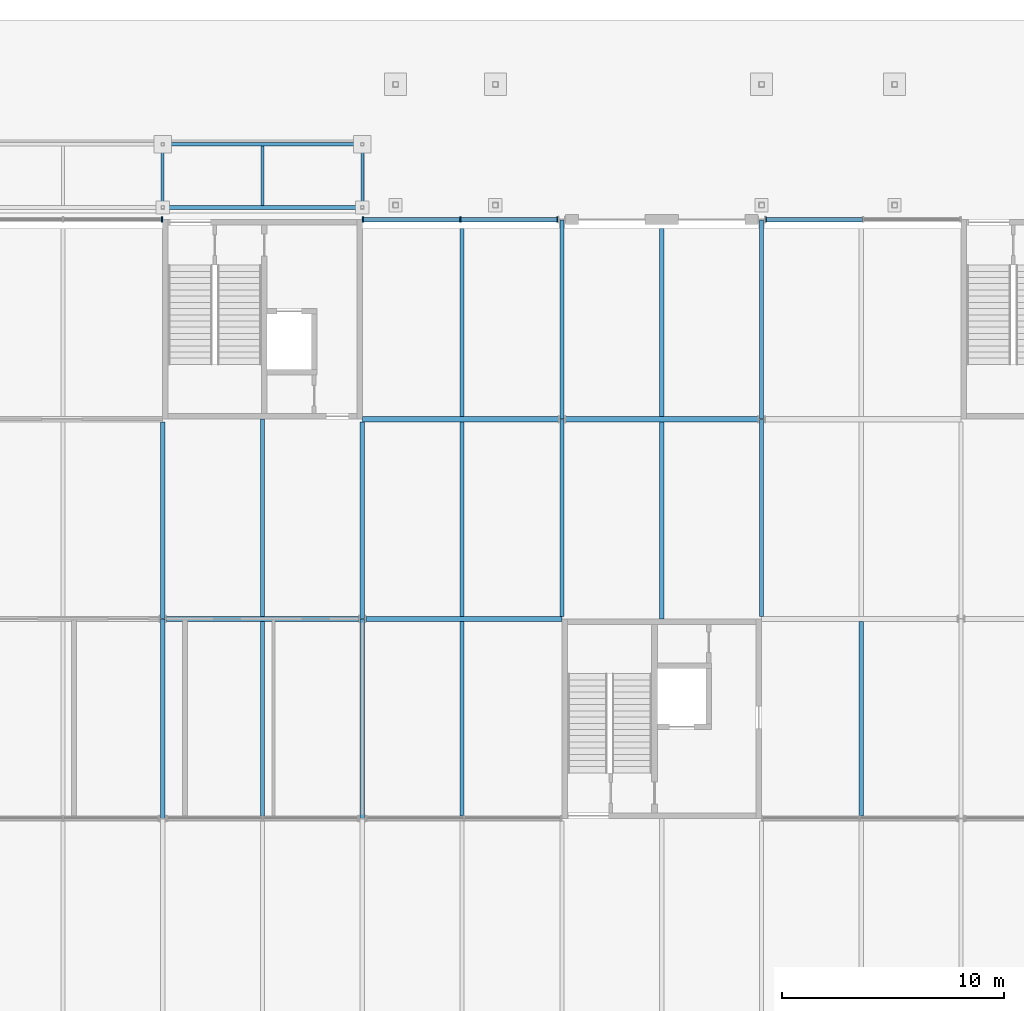
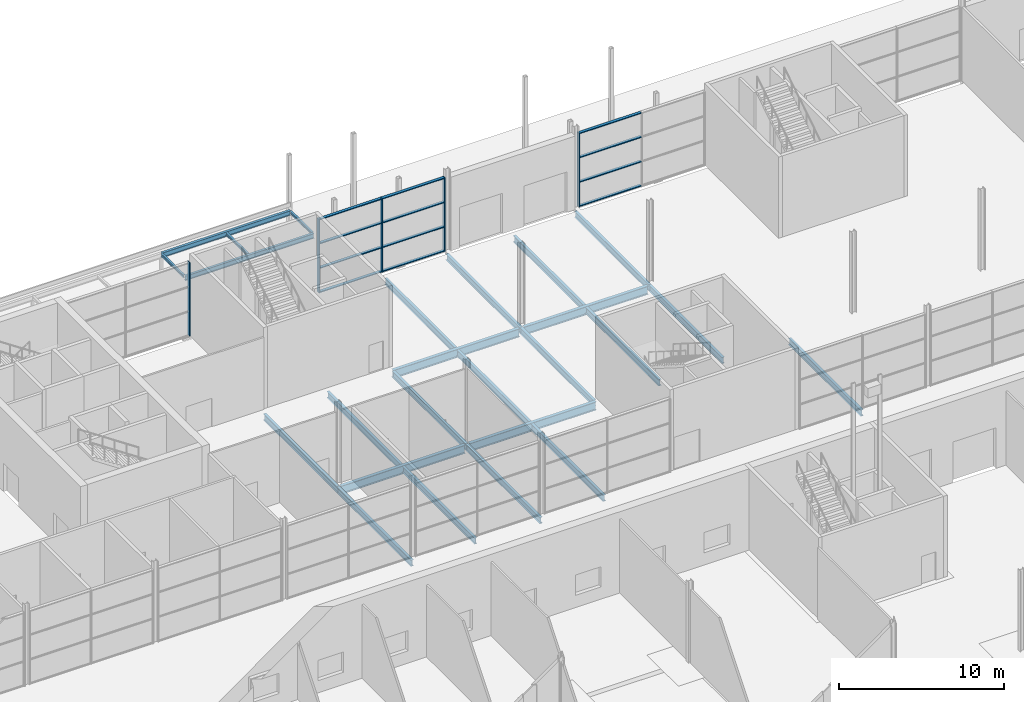
# One storey, part 46 of 97: 25 beams, 17 members, 3 elements without a shape of their own.
"""IFC4 building model written with IfcOpenShell, lengths in metres."""

from ifc_helpers import new_model, si_unit, direction, frame, origin, origin_2d, place, context, subcontext, project, spatial, rectangle, i_section, extrude, material, layer, layer_set, material_profile, profile_set, type_object, element, aggregate, save


model = new_model("IFC4")

# Units and contexts
model_context = context("Model", 3, precision=1e-05, world=origin(), true_north=direction((0.0, 1.0)))
body_context = subcontext(model_context, "Body", "Model", "MODEL_VIEW")
ifc_project = project(units=[si_unit("LENGTHUNIT", "METRE"), si_unit("AREAUNIT", "SQUARE_METRE"), si_unit("VOLUMEUNIT", "CUBIC_METRE"), si_unit("PLANEANGLEUNIT", "RADIAN"), si_unit("MASSUNIT", "GRAM", prefix="KILO")], contexts=[model_context])

# Site, building, storey
site_placement = place(None, origin())
site = spatial("IfcSite", under=ifc_project, at=site_placement, CompositionType="ELEMENT")
building_placement = place(site_placement, origin())
building = spatial("IfcBuilding", under=site, at=building_placement, Name="Corbel Yard City Hall", CompositionType="ELEMENT")
storey_placement = place(building_placement, origin())
storey = spatial("IfcBuildingStorey", under=building, at=storey_placement, Name="L00", CompositionType="ELEMENT", Elevation=0.0)

# Beams
ifc_material_1 = material(Name="Steel Grade 300 (300 MPa yield)", Category="steel")
ifc_material_profile_1 = material_profile(ifc_material_1, i_section(OverallWidth=0.133056640625, OverallDepth=0.201904296875, WebThickness=0.0048828125, FlangeThickness=0.007080078125, at=origin_2d()), Name="200UB22.3")
ifc_profile_set_1 = profile_set([ifc_material_profile_1], Name="Steel Grade 300 (300 MPa yield)")
beam_type_1 = type_object("IfcBeamType", Name="Awning Cross Beam 200UB22.3", PredefinedType="BEAM", material=ifc_profile_set_1)
for number, where, z_axis, x_axis, name in (
    (1, (63.0, 117.635498046875, 3.96484375), (0.0, 0.999922069115, -0.012484217941), (-1.0, 0.0, 0.0), "Awning Cross Beam 13"),
    (2, (67.5, 117.635498046875, 3.96484375), (0.0, 0.999922069115, -0.012484217941), (-1.0, 0.0, 0.0), "Awning Cross Beam 14"),
    (3, (72.0, 117.635498046875, 3.96484375), (0.0, 0.999922069115, -0.012484217941), (-1.0, 0.0, 0.0), "Awning Cross Beam 15"),
):
    element("IfcBeam", number, at=place(storey_placement, frame(where, z_axis=z_axis, x_axis=x_axis)), inside=storey, type_object=beam_type_1, Name=name, PredefinedType="BEAM", context=body_context, shape_type="SweptSolid", body=[
        extrude(i_section(OverallWidth=0.133056640625, OverallDepth=0.201904296875, WebThickness=0.0048828125, FlangeThickness=0.007080078125, at=origin_2d()), origin(), (0.0, 0.0, 1.0), 2.67919921875),
    ])
ifc_material_profile_2 = material_profile(ifc_material_1, i_section(OverallWidth=0.1708984375, OverallDepth=0.35205078125, WebThickness=0.0068359375, FlangeThickness=0.009765625, at=origin_2d()), Name="360UB44.7")
ifc_profile_set_2 = profile_set([ifc_material_profile_2], Name="Steel Grade 300 (300 MPa yield)")
beam_type_2 = type_object("IfcBeamType", Name="Awning Edge Beam 360UB44.7", PredefinedType="BEAM", material=ifc_profile_set_2)
for number, where, z_axis, x_axis, name in (
    (4, (63.0, 117.550048828125, 3.890869140625), (1.0, 0.0, 0.0), (0.0, 1.0, 0.0), "Awning Edge Beam B07"),
    (5, (63.0, 120.39990234375, 3.855224609375), (1.0, 0.0, 0.0), (0.0, 1.0, 0.0), "Awning Edge Beam F07"),
):
    element("IfcBeam", number, at=place(storey_placement, frame(where, z_axis=z_axis, x_axis=x_axis)), inside=storey, type_object=beam_type_2, Name=name, PredefinedType="BEAM", context=body_context, shape_type="SweptSolid", body=[
        extrude(i_section(OverallWidth=0.1708984375, OverallDepth=0.35205078125, WebThickness=0.0068359375, FlangeThickness=0.009765625, at=origin_2d()), origin(), (0.0, 0.0, 1.0), 9.0),
    ])
ifc_material_profile_3 = material_profile(ifc_material_1, i_section(OverallWidth=0.19091796875, OverallDepth=0.4599609375, WebThickness=0.010009765625, FlangeThickness=0.01611328125, at=origin_2d()), Name="460UB82.1")
ifc_profile_set_3 = profile_set([ifc_material_profile_3], Name="Steel Grade 300 (300 MPa yield)")
beam_type_3 = type_object("IfcBeamType", Name="Beam 460UB82.1", PredefinedType="BEAM", material=ifc_profile_set_3)
beam_1_placement = place(storey_placement, frame((63.0, 90.0078125, -0.47998046875), z_axis=(0.0, 1.0, 0.0), x_axis=(-1.0, 0.0, 0.0)))
element("IfcBeam", 6, at=beam_1_placement, inside=storey, type_object=beam_type_3, Name="Beam 460UB82.1 SB2 L00deck", PredefinedType="BEAM", context=body_context, shape_type="SweptSolid", body=[
    extrude(i_section(OverallWidth=0.19091796875, OverallDepth=0.4599609375, WebThickness=0.010009765625, FlangeThickness=0.01611328125, at=origin_2d()), origin(), (0.0, 0.0, 1.0), 8.984375),
])
beam_2_placement = place(storey_placement, frame((63.0, 99.0078125, -0.47998046875), z_axis=(0.0, 1.0, 0.0), x_axis=(-1.0, 0.0, 0.0)))
element("IfcBeam", 7, at=beam_2_placement, inside=storey, type_object=beam_type_3, Name="Beam 460UB82.1 SB2 L00deck", PredefinedType="BEAM", context=body_context, shape_type="SweptSolid", body=[
    extrude(i_section(OverallWidth=0.19091796875, OverallDepth=0.4599609375, WebThickness=0.010009765625, FlangeThickness=0.01611328125, at=origin_2d()), origin(), (0.0, 0.0, 1.0), 8.877685546875),
])
beam_3_placement = place(storey_placement, frame((72.0, 90.0078125, -0.47998046875), z_axis=(0.0, 1.0, 0.0), x_axis=(-1.0, 0.0, 0.0)))
element("IfcBeam", 8, at=beam_3_placement, inside=storey, type_object=beam_type_3, Name="Beam 460UB82.1 SB2 L00deck", PredefinedType="BEAM", context=body_context, shape_type="SweptSolid", body=[
    extrude(i_section(OverallWidth=0.19091796875, OverallDepth=0.4599609375, WebThickness=0.010009765625, FlangeThickness=0.01611328125, at=origin_2d()), origin(), (0.0, 0.0, 1.0), 8.984375),
])
for number, where, z_axis, x_axis, name in (
    (9, (72.0, 99.0078125, -0.47998046875), (0.0, 1.0, 0.0), (-1.0, 0.0, 0.0), "Beam 460UB82.1 SB2 L00deck"),
    (10, (81.0, 99.114501953125, -0.47998046875), (0.0, 1.0, 0.0), (-1.0, 0.0, 0.0), "Beam 460UB82.1 SB2 L00deck"),
):
    element("IfcBeam", number, at=place(storey_placement, frame(where, z_axis=z_axis, x_axis=x_axis)), inside=storey, type_object=beam_type_3, Name=name, PredefinedType="BEAM", context=body_context, shape_type="SweptSolid", body=[
        extrude(i_section(OverallWidth=0.19091796875, OverallDepth=0.4599609375, WebThickness=0.010009765625, FlangeThickness=0.01611328125, at=origin_2d()), origin(), (0.0, 0.0, 1.0), 8.877685546875),
    ])
beam_4_placement = place(storey_placement, frame((81.0, 108.0078125, -0.47998046875), z_axis=(0.0, 1.0, 0.0), x_axis=(-1.0, 0.0, 0.0)))
element("IfcBeam", 11, at=beam_4_placement, inside=storey, type_object=beam_type_3, Name="Beam 460UB82.1 SB2 L00deck", PredefinedType="BEAM", context=body_context, shape_type="SweptSolid", body=[
    extrude(i_section(OverallWidth=0.19091796875, OverallDepth=0.4599609375, WebThickness=0.010009765625, FlangeThickness=0.01611328125, at=origin_2d()), origin(), (0.0, 0.0, 1.0), 8.984375),
])
beam_5_placement = place(storey_placement, frame((90.0, 99.114501953125, -0.47998046875), z_axis=(0.0, 1.0, 0.0), x_axis=(-1.0, 0.0, 0.0)))
element("IfcBeam", 12, at=beam_5_placement, inside=storey, type_object=beam_type_3, Name="Beam 460UB82.1 SB2 L00deck", PredefinedType="BEAM", context=body_context, shape_type="SweptSolid", body=[
    extrude(i_section(OverallWidth=0.19091796875, OverallDepth=0.4599609375, WebThickness=0.010009765625, FlangeThickness=0.01611328125, at=origin_2d()), origin(), (0.0, 0.0, 1.0), 8.877685546875),
])
beam_6_placement = place(storey_placement, frame((90.0, 108.0078125, -0.47998046875), z_axis=(0.0, 1.0, 0.0), x_axis=(-1.0, 0.0, 0.0)))
element("IfcBeam", 13, at=beam_6_placement, inside=storey, type_object=beam_type_3, Name="Beam 460UB82.1 SB2 L00deck", PredefinedType="BEAM", context=body_context, shape_type="SweptSolid", body=[
    extrude(i_section(OverallWidth=0.19091796875, OverallDepth=0.4599609375, WebThickness=0.010009765625, FlangeThickness=0.01611328125, at=origin_2d()), origin(), (0.0, 0.0, 1.0), 8.984375),
])
ifc_material_profile_4 = material_profile(ifc_material_1, i_section(OverallWidth=0.22900390625, OverallDepth=0.612060546875, WebThickness=0.011962890625, FlangeThickness=0.01953125, at=origin_2d()), Name="610UB125")
ifc_profile_set_4 = profile_set([ifc_material_profile_4], Name="Steel Grade 300 (300 MPa yield)")
beam_type_4 = type_object("IfcBeamType", Name="Girder 610UB125", PredefinedType="BEAM", material=ifc_profile_set_4)
beam_7_placement = place(storey_placement, frame((63.16357421875, 99.0, -0.555908203125), z_axis=(1.0, 0.0, 0.0), x_axis=(0.0, 1.0, 0.0)))
element("IfcBeam", 14, at=beam_7_placement, inside=storey, type_object=beam_type_4, Name="Girder 610UB125 GB1 L00deck", PredefinedType="BEAM", context=body_context, shape_type="SweptSolid", body=[
    extrude(i_section(OverallWidth=0.22900390625, OverallDepth=0.612060546875, WebThickness=0.011962890625, FlangeThickness=0.01953125, at=origin_2d()), origin(), (0.0, 0.0, 1.0), 8.6728515625),
])
for number, where, z_axis, x_axis, name in (
    (15, (72.16357421875, 99.0, -0.555908203125), (1.0, 0.0, 0.0), (0.0, 1.0, 0.0), "Girder 610UB125 GB1 L00deck"),
    (16, (72.0, 108.0, -0.555908203125), (1.0, 0.0, 0.0), (0.0, 1.0, 0.0), "Girder 610UB125 GB1 L00deck"),
):
    element("IfcBeam", number, at=place(storey_placement, frame(where, z_axis=z_axis, x_axis=x_axis)), inside=storey, type_object=beam_type_4, Name=name, PredefinedType="BEAM", context=body_context, shape_type="SweptSolid", body=[
        extrude(i_section(OverallWidth=0.22900390625, OverallDepth=0.612060546875, WebThickness=0.011962890625, FlangeThickness=0.01953125, at=origin_2d()), origin(), (0.0, 0.0, 1.0), 8.83642578125),
    ])
beam_8_placement = place(storey_placement, frame((81.16357421875, 108.0, -0.555908203125), z_axis=(1.0, 0.0, 0.0), x_axis=(0.0, 1.0, 0.0)))
element("IfcBeam", 17, at=beam_8_placement, inside=storey, type_object=beam_type_4, Name="Girder 610UB125 GB1 L00deck", PredefinedType="BEAM", context=body_context, shape_type="SweptSolid", body=[
    extrude(i_section(OverallWidth=0.22900390625, OverallDepth=0.612060546875, WebThickness=0.011962890625, FlangeThickness=0.01953125, at=origin_2d()), origin(), (0.0, 0.0, 1.0), 8.6728515625),
])

# Curtain wall, member
ifc_material_2 = material(Name="Aluminium extrusion", Category="aluminium")
ifc_layer = layer(ifc_material_2, 0.25)
ifc_layer_set = layer_set([ifc_layer], Name="Aluminium extrusion")
curtain_wall_type = type_object("IfcCurtainWallType", Name="CW4", PredefinedType="USERDEFINED", material=ifc_layer_set)
curtain_wall_1_placement = place(storey_placement, origin())
curtain_wall_1 = element("IfcCurtainWall", 18, at=curtain_wall_1_placement, inside=storey, type_object=curtain_wall_type, Name="Curtain wall CW4 L00", ObjectType="CURTAIN WALL", PredefinedType="USERDEFINED")
ifc_material_profile_5 = material_profile(ifc_material_2, rectangle(XDim=0.25, YDim=0.06494140625, at=origin_2d()), Name="250x65")
ifc_profile_set_5 = profile_set([ifc_material_profile_5], Name="Aluminium extrusion")
member_type_1 = type_object("IfcMemberType", Name="ML4", PredefinedType="MULLION", material=ifc_profile_set_5)
member_1_placement = place(storey_placement, frame((62.967529296875, 117.0, 0.0), z_axis=(0.0, 0.0, 1.0), x_axis=(0.0, 1.0, 0.0)))
member_1 = element("IfcMember", 19, at=member_1_placement, type_object=member_type_1, Name="CW4 mullion 3", PredefinedType="MULLION", context=body_context, shape_type="SweptSolid", body=[
    extrude(rectangle(XDim=0.25, YDim=0.06494140625, at=origin_2d()), origin(), (0.0, 0.0, 1.0), 5.444091796875),
])
aggregate(curtain_wall_1, [member_1])

# Curtain wall, members
curtain_wall_2_placement = place(storey_placement, origin())
curtain_wall_2 = element("IfcCurtainWall", 20, at=curtain_wall_2_placement, inside=storey, type_object=curtain_wall_type, Name="Curtain wall CW4 L00", ObjectType="CURTAIN WALL", PredefinedType="USERDEFINED")
member_2_placement = place(storey_placement, frame((72.032470703125, 117.0, 0.0), z_axis=(0.0, 0.0, 1.0), x_axis=(0.0, 1.0, 0.0)))
member_2 = element("IfcMember", 21, at=member_2_placement, type_object=member_type_1, Name="CW4 mullion 1", PredefinedType="MULLION", context=body_context, shape_type="SweptSolid", body=[
    extrude(rectangle(XDim=0.25, YDim=0.06494140625, at=origin_2d()), origin(), (0.0, 0.0, 1.0), 5.444091796875),
])
member_3_placement = place(storey_placement, frame((76.421142578125, 117.0, 0.0), z_axis=(0.0, 0.0, 1.0), x_axis=(0.0, 1.0, 0.0)))
member_3 = element("IfcMember", 22, at=member_3_placement, type_object=member_type_1, Name="CW4 mullion 2", PredefinedType="MULLION", context=body_context, shape_type="SweptSolid", body=[
    extrude(rectangle(XDim=0.25, YDim=0.06494140625, at=origin_2d()), origin(), (0.0, 0.0, 1.0), 5.444091796875),
])
member_4_placement = place(storey_placement, frame((80.81005859375, 117.0, 0.0), z_axis=(0.0, 0.0, 1.0), x_axis=(0.0, 1.0, 0.0)))
member_4 = element("IfcMember", 23, at=member_4_placement, type_object=member_type_1, Name="CW4 mullion 3", PredefinedType="MULLION", context=body_context, shape_type="SweptSolid", body=[
    extrude(rectangle(XDim=0.25, YDim=0.06494140625, at=origin_2d()), origin(), (0.0, 0.0, 1.0), 5.444091796875),
])

# Curtain wall, member
curtain_wall_3_placement = place(storey_placement, origin())
curtain_wall_3 = element("IfcCurtainWall", 24, at=curtain_wall_3_placement, inside=storey, type_object=curtain_wall_type, Name="Curtain wall CW4 L00", ObjectType="CURTAIN WALL", PredefinedType="USERDEFINED")
member_5_placement = place(storey_placement, frame((90.18994140625, 117.0, 0.0), z_axis=(0.0, 0.0, 1.0), x_axis=(0.0, 1.0, 0.0)))
member_5 = element("IfcMember", 25, at=member_5_placement, type_object=member_type_1, Name="CW4 mullion 1", PredefinedType="MULLION", context=body_context, shape_type="SweptSolid", body=[
    extrude(rectangle(XDim=0.25, YDim=0.06494140625, at=origin_2d()), origin(), (0.0, 0.0, 1.0), 5.444091796875),
])

# Beams
ifc_material_profile_6 = material_profile(ifc_material_1, i_section(OverallWidth=0.19091796875, OverallDepth=0.4599609375, WebThickness=0.010009765625, FlangeThickness=0.01611328125, at=origin_2d()), Name="460UB82.1")
ifc_profile_set_6 = profile_set([ifc_material_profile_6], Name="Steel Grade 300 (300 MPa yield)")
beam_type_5 = type_object("IfcBeamType", Name="Secondary beam 460UB82.1", PredefinedType="JOIST", material=ifc_profile_set_6)
beam_9_placement = place(storey_placement, frame((67.5, 90.114501953125, -0.47998046875), z_axis=(0.0, 1.0, 0.0), x_axis=(-1.0, 0.0, 0.0)))
element("IfcBeam", 26, at=beam_9_placement, inside=storey, type_object=beam_type_5, Name="Secondary beam 460UB82.1 SB1 L00deck", PredefinedType="JOIST", context=body_context, shape_type="SweptSolid", body=[
    extrude(i_section(OverallWidth=0.19091796875, OverallDepth=0.4599609375, WebThickness=0.010009765625, FlangeThickness=0.01611328125, at=origin_2d()), origin(), (0.0, 0.0, 1.0), 8.77099609375),
])
beam_10_placement = place(storey_placement, frame((67.5, 99.114501953125, -0.47998046875), z_axis=(0.0, 1.0, 0.0), x_axis=(-1.0, 0.0, 0.0)))
element("IfcBeam", 27, at=beam_10_placement, inside=storey, type_object=beam_type_5, Name="Secondary beam 460UB82.1 SB1 L00deck", PredefinedType="JOIST", context=body_context, shape_type="SweptSolid", body=[
    extrude(i_section(OverallWidth=0.19091796875, OverallDepth=0.4599609375, WebThickness=0.010009765625, FlangeThickness=0.01611328125, at=origin_2d()), origin(), (0.0, 0.0, 1.0), 8.885498046875),
])
for number, where, z_axis, x_axis, name in (
    (28, (76.5, 90.114501953125, -0.47998046875), (0.0, 1.0, 0.0), (-1.0, 0.0, 0.0), "Secondary beam 460UB82.1 SB1 L00deck"),
    (29, (76.5, 99.114501953125, -0.47998046875), (0.0, 1.0, 0.0), (-1.0, 0.0, 0.0), "Secondary beam 460UB82.1 SB1 L00deck"),
):
    element("IfcBeam", number, at=place(storey_placement, frame(where, z_axis=z_axis, x_axis=x_axis)), inside=storey, type_object=beam_type_5, Name=name, PredefinedType="JOIST", context=body_context, shape_type="SweptSolid", body=[
        extrude(i_section(OverallWidth=0.19091796875, OverallDepth=0.4599609375, WebThickness=0.010009765625, FlangeThickness=0.01611328125, at=origin_2d()), origin(), (0.0, 0.0, 1.0), 8.77099609375),
    ])
beam_11_placement = place(storey_placement, frame((76.5, 108.114501953125, -0.47998046875), z_axis=(0.0, 1.0, 0.0), x_axis=(-1.0, 0.0, 0.0)))
element("IfcBeam", 30, at=beam_11_placement, inside=storey, type_object=beam_type_5, Name="Secondary beam 460UB82.1 SB1 L00deck", PredefinedType="JOIST", context=body_context, shape_type="SweptSolid", body=[
    extrude(i_section(OverallWidth=0.19091796875, OverallDepth=0.4599609375, WebThickness=0.010009765625, FlangeThickness=0.01611328125, at=origin_2d()), origin(), (0.0, 0.0, 1.0), 8.485595703125),
])
beam_12_placement = place(storey_placement, frame((85.5, 99.0, -0.47998046875), z_axis=(0.0, 1.0, 0.0), x_axis=(-1.0, 0.0, 0.0)))
element("IfcBeam", 31, at=beam_12_placement, inside=storey, type_object=beam_type_5, Name="Secondary beam 460UB82.1 SB1 L00deck", PredefinedType="JOIST", context=body_context, shape_type="SweptSolid", body=[
    extrude(i_section(OverallWidth=0.19091796875, OverallDepth=0.4599609375, WebThickness=0.010009765625, FlangeThickness=0.01611328125, at=origin_2d()), origin(), (0.0, 0.0, 1.0), 8.885498046875),
])
beam_13_placement = place(storey_placement, frame((85.5, 108.114501953125, -0.47998046875), z_axis=(0.0, 1.0, 0.0), x_axis=(-1.0, 0.0, 0.0)))
element("IfcBeam", 32, at=beam_13_placement, inside=storey, type_object=beam_type_5, Name="Secondary beam 460UB82.1 SB1 L00deck", PredefinedType="JOIST", context=body_context, shape_type="SweptSolid", body=[
    extrude(i_section(OverallWidth=0.19091796875, OverallDepth=0.4599609375, WebThickness=0.010009765625, FlangeThickness=0.01611328125, at=origin_2d()), origin(), (0.0, 0.0, 1.0), 8.485595703125),
])
beam_14_placement = place(storey_placement, frame((94.5, 90.114501953125, -0.47998046875), z_axis=(0.0, 1.0, 0.0), x_axis=(-1.0, 0.0, 0.0)))
element("IfcBeam", 33, at=beam_14_placement, inside=storey, type_object=beam_type_5, Name="Secondary beam 460UB82.1 SB1 L00deck", PredefinedType="JOIST", context=body_context, shape_type="SweptSolid", body=[
    extrude(i_section(OverallWidth=0.19091796875, OverallDepth=0.4599609375, WebThickness=0.010009765625, FlangeThickness=0.01611328125, at=origin_2d()), origin(), (0.0, 0.0, 1.0), 8.77099609375),
])

# Member
ifc_material_profile_7 = material_profile(ifc_material_2, rectangle(XDim=0.199951171875, YDim=0.06494140625, at=origin_2d()), Name="200x65")
ifc_profile_set_7 = profile_set([ifc_material_profile_7], Name="Aluminium extrusion")
member_type_2 = type_object("IfcMemberType", Name="TR4", PredefinedType="USERDEFINED", material=ifc_profile_set_7)
member_6_placement = place(storey_placement, frame((72.06494140625, 117.0, 0.032470703125), z_axis=(1.0, 0.0, 0.0), x_axis=(0.0, 1.0, 0.0)))
member_6 = element("IfcMember", 34, at=member_6_placement, type_object=member_type_2, Name="CW4 transom 1.1", ObjectType="TRANSOM", PredefinedType="USERDEFINED", context=body_context, shape_type="SweptSolid", body=[
    extrude(rectangle(XDim=0.199951171875, YDim=0.06494140625, at=origin_2d()), origin(), (0.0, 0.0, 1.0), 4.32373046875),
])

member_7_placement = place(storey_placement, frame((72.06494140625, 117.0, 1.814697265625), z_axis=(1.0, 0.0, 0.0), x_axis=(0.0, 1.0, 0.0)))
member_7 = element("IfcMember", 35, at=member_7_placement, type_object=member_type_2, Name="CW4 transom 1.2", ObjectType="TRANSOM", PredefinedType="USERDEFINED", context=body_context, shape_type="SweptSolid", body=[
    extrude(rectangle(XDim=0.199951171875, YDim=0.06494140625, at=origin_2d()), origin(), (0.0, 0.0, 1.0), 4.32373046875),
])

member_8_placement = place(storey_placement, frame((72.06494140625, 117.0, 3.62939453125), z_axis=(1.0, 0.0, 0.0), x_axis=(0.0, 1.0, 0.0)))
member_8 = element("IfcMember", 36, at=member_8_placement, type_object=member_type_2, Name="CW4 transom 1.3", ObjectType="TRANSOM", PredefinedType="USERDEFINED", context=body_context, shape_type="SweptSolid", body=[
    extrude(rectangle(XDim=0.199951171875, YDim=0.06494140625, at=origin_2d()), origin(), (0.0, 0.0, 1.0), 4.32373046875),
])

member_9_placement = place(storey_placement, frame((72.06494140625, 117.0, 5.41162109375), z_axis=(1.0, 0.0, 0.0), x_axis=(0.0, 1.0, 0.0)))
member_9 = element("IfcMember", 37, at=member_9_placement, type_object=member_type_2, Name="CW4 transom 1.4", ObjectType="TRANSOM", PredefinedType="USERDEFINED", context=body_context, shape_type="SweptSolid", body=[
    extrude(rectangle(XDim=0.199951171875, YDim=0.06494140625, at=origin_2d()), origin(), (0.0, 0.0, 1.0), 4.32373046875),
])

member_10_placement = place(storey_placement, frame((76.453857421875, 117.0, 0.032470703125), z_axis=(1.0, 0.0, 0.0), x_axis=(0.0, 1.0, 0.0)))
member_10 = element("IfcMember", 38, at=member_10_placement, type_object=member_type_2, Name="CW4 transom 2.1", ObjectType="TRANSOM", PredefinedType="USERDEFINED", context=body_context, shape_type="SweptSolid", body=[
    extrude(rectangle(XDim=0.199951171875, YDim=0.06494140625, at=origin_2d()), origin(), (0.0, 0.0, 1.0), 4.32373046875),
])

member_11_placement = place(storey_placement, frame((76.453857421875, 117.0, 1.814697265625), z_axis=(1.0, 0.0, 0.0), x_axis=(0.0, 1.0, 0.0)))
member_11 = element("IfcMember", 39, at=member_11_placement, type_object=member_type_2, Name="CW4 transom 2.2", ObjectType="TRANSOM", PredefinedType="USERDEFINED", context=body_context, shape_type="SweptSolid", body=[
    extrude(rectangle(XDim=0.199951171875, YDim=0.06494140625, at=origin_2d()), origin(), (0.0, 0.0, 1.0), 4.32373046875),
])

member_12_placement = place(storey_placement, frame((76.453857421875, 117.0, 3.62939453125), z_axis=(1.0, 0.0, 0.0), x_axis=(0.0, 1.0, 0.0)))
member_12 = element("IfcMember", 40, at=member_12_placement, type_object=member_type_2, Name="CW4 transom 2.3", ObjectType="TRANSOM", PredefinedType="USERDEFINED", context=body_context, shape_type="SweptSolid", body=[
    extrude(rectangle(XDim=0.199951171875, YDim=0.06494140625, at=origin_2d()), origin(), (0.0, 0.0, 1.0), 4.32373046875),
])

member_13_placement = place(storey_placement, frame((76.453857421875, 117.0, 5.41162109375), z_axis=(1.0, 0.0, 0.0), x_axis=(0.0, 1.0, 0.0)))
member_13 = element("IfcMember", 41, at=member_13_placement, type_object=member_type_2, Name="CW4 transom 2.4", ObjectType="TRANSOM", PredefinedType="USERDEFINED", context=body_context, shape_type="SweptSolid", body=[
    extrude(rectangle(XDim=0.199951171875, YDim=0.06494140625, at=origin_2d()), origin(), (0.0, 0.0, 1.0), 4.32373046875),
])

aggregate(curtain_wall_2, [member_2, member_3, member_4, member_6, member_7, member_8, member_9, member_10, member_11, member_12, member_13])

member_14_placement = place(storey_placement, frame((90.222412109375, 117.0, 0.032470703125), z_axis=(1.0, 0.0, 0.0), x_axis=(0.0, 1.0, 0.0)))
member_14 = element("IfcMember", 42, at=member_14_placement, type_object=member_type_2, Name="CW4 transom 1.1", ObjectType="TRANSOM", PredefinedType="USERDEFINED", context=body_context, shape_type="SweptSolid", body=[
    extrude(rectangle(XDim=0.199951171875, YDim=0.06494140625, at=origin_2d()), origin(), (0.0, 0.0, 1.0), 4.32373046875),
])

member_15_placement = place(storey_placement, frame((90.222412109375, 117.0, 1.814697265625), z_axis=(1.0, 0.0, 0.0), x_axis=(0.0, 1.0, 0.0)))
member_15 = element("IfcMember", 43, at=member_15_placement, type_object=member_type_2, Name="CW4 transom 1.2", ObjectType="TRANSOM", PredefinedType="USERDEFINED", context=body_context, shape_type="SweptSolid", body=[
    extrude(rectangle(XDim=0.199951171875, YDim=0.06494140625, at=origin_2d()), origin(), (0.0, 0.0, 1.0), 4.32373046875),
])

member_16_placement = place(storey_placement, frame((90.222412109375, 117.0, 3.62939453125), z_axis=(1.0, 0.0, 0.0), x_axis=(0.0, 1.0, 0.0)))
member_16 = element("IfcMember", 44, at=member_16_placement, type_object=member_type_2, Name="CW4 transom 1.3", ObjectType="TRANSOM", PredefinedType="USERDEFINED", context=body_context, shape_type="SweptSolid", body=[
    extrude(rectangle(XDim=0.199951171875, YDim=0.06494140625, at=origin_2d()), origin(), (0.0, 0.0, 1.0), 4.32373046875),
])

member_17_placement = place(storey_placement, frame((90.222412109375, 117.0, 5.41162109375), z_axis=(1.0, 0.0, 0.0), x_axis=(0.0, 1.0, 0.0)))
member_17 = element("IfcMember", 45, at=member_17_placement, type_object=member_type_2, Name="CW4 transom 1.4", ObjectType="TRANSOM", PredefinedType="USERDEFINED", context=body_context, shape_type="SweptSolid", body=[
    extrude(rectangle(XDim=0.199951171875, YDim=0.06494140625, at=origin_2d()), origin(), (0.0, 0.0, 1.0), 4.32373046875),
])

aggregate(curtain_wall_3, [member_5, member_14, member_15, member_16, member_17])

save(model, "model.ifc")
